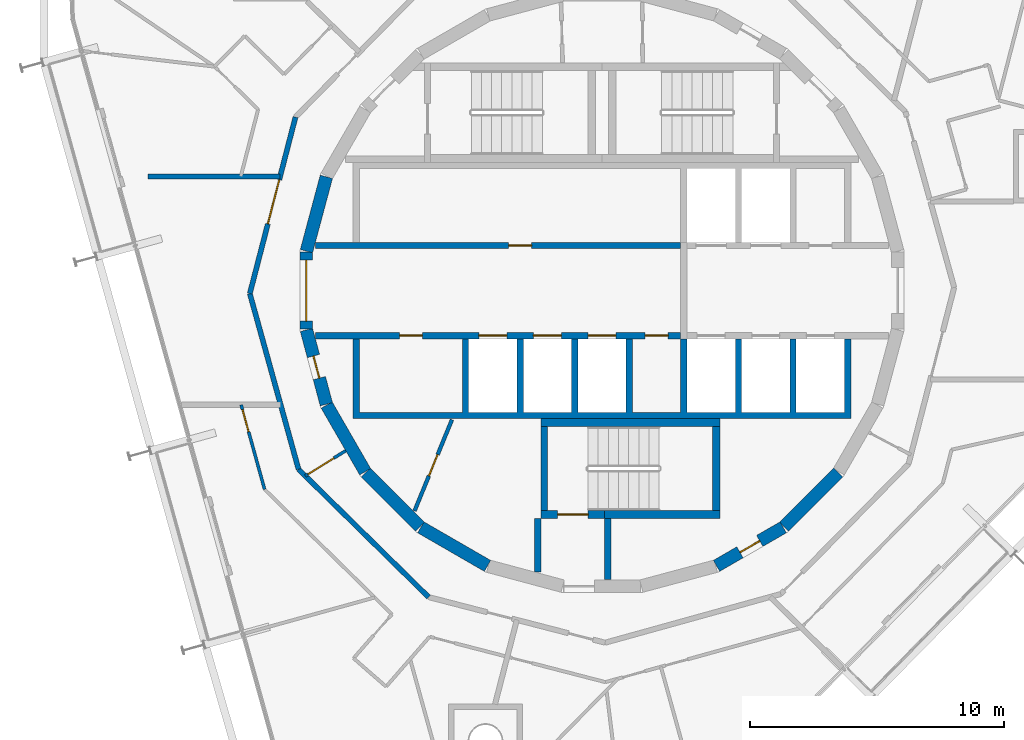
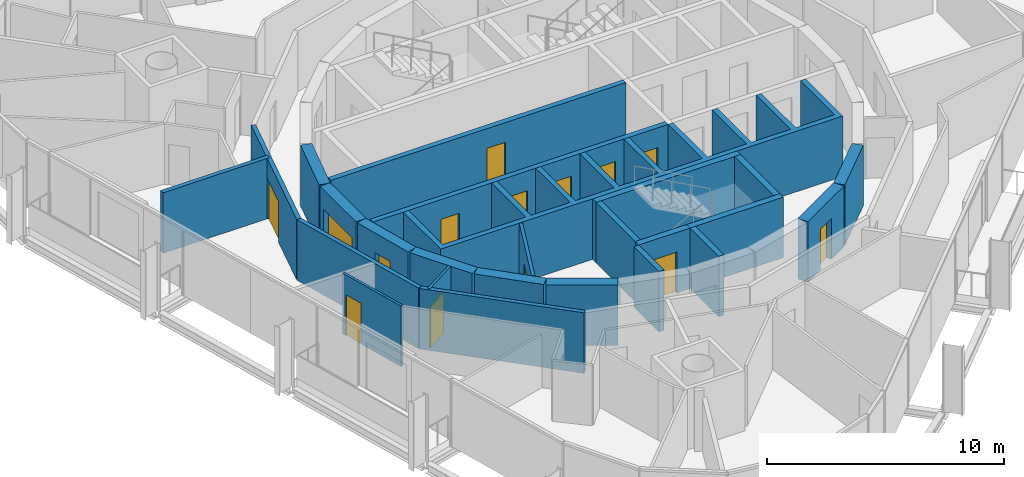
# One storey, part 10 of 15: 25 walls, 14 doors, 14 openings.
"""IFC4 building model written with IfcOpenShell, lengths in metres."""

from ifc_helpers import new_model, si_unit, direction, frame, frame_2d, origin, place, context, subcontext, project, spatial, polyline, rectangle, outline, extrude, material, layer, layer_set, type_object, element, fill, save


model = new_model("IFC4")

# Units and contexts
model_context = context("Model", 3, precision=1e-05, world=origin(), true_north=direction((0.0, 1.0)))
body_context = subcontext(model_context, "Body", "Model", "MODEL_VIEW")
ifc_project = project(units=[si_unit("LENGTHUNIT", "METRE"), si_unit("AREAUNIT", "SQUARE_METRE"), si_unit("VOLUMEUNIT", "CUBIC_METRE"), si_unit("PLANEANGLEUNIT", "RADIAN"), si_unit("MASSUNIT", "GRAM", prefix="KILO")], contexts=[model_context])

# Site, building, storey
site_placement = place(None, origin())
site = spatial("IfcSite", under=ifc_project, at=site_placement, CompositionType="ELEMENT")
building_placement = place(site_placement, origin())
building = spatial("IfcBuilding", under=site, at=building_placement, Name="Spindle Arch Residences", CompositionType="ELEMENT")
storey_placement = place(building_placement, frame((0.0, 0.0, 308.699951171875)))
storey = spatial("IfcBuildingStorey", under=building, at=storey_placement, Name="L79", CompositionType="ELEMENT", Elevation=308.699951171875)

# Wall, opening, door
ifc_material_1 = material(Name="Concrete C50/60", Category="concrete")
ifc_layer_1 = layer(ifc_material_1, 0.5)
ifc_layer_set_1 = layer_set([ifc_layer_1], Name="Core outline wall 500")
wall_type_1 = type_object("IfcWallType", Name="Core outline wall 500", PredefinedType="SHEAR", material=ifc_layer_set_1)
wall_1_placement = place(storey_placement, frame((4.510498046875, -10.84521484375, 0.0), z_axis=(0.0, 0.0, 1.0), x_axis=(0.865975092491, 0.500087131594, 0.0)))
wall_1 = element("IfcWall", 1, at=wall_1_placement, inside=storey, type_object=wall_type_1, Name="Core outline wall 2", PredefinedType="SHEAR", context=body_context, shape_type="SweptSolid", body=[
    extrude(rectangle(XDim=3.03271484375, YDim=0.5, at=frame_2d((1.516357421875, 0.0))), origin(), (0.0, 0.0, 1.0), 3.1201171875),
])
opening_1_placement = place(wall_1_placement, frame((1.06640625, 0.0, 0.0)))
opening_1 = element("IfcOpeningElement", 2, at=opening_1_placement, cuts=wall_1, Name="Opening R8B1-WD08", PredefinedType="OPENING", context=body_context, shape_type="SweptSolid", body=[
    extrude(rectangle(XDim=0.89990234375, YDim=2.10009765625, at=frame_2d((0.449951171875, 1.050048828125))), frame((0.0, 0.260009765625, 0.0), z_axis=(0.0, -1.0, 0.0), x_axis=(1.0, 0.0, 0.0)), (0.0, 0.0, 1.0), 0.52001953125),
])
ifc_material_2 = material(Name="Steel, fire-resisting door", Category="steel")
door_type_1 = type_object("IfcDoorType", Name="Service room door 900x2100", OperationType="SINGLE_SWING_LEFT", PredefinedType="DOOR", material=ifc_material_2)
door_1_placement = place(opening_1_placement, origin())
door_1 = element("IfcDoor", 3, at=door_1_placement, inside=storey, type_object=door_type_1, Name="Service room door R8B1-WD08", OperationType="SINGLE_SWING_RIGHT", OverallHeight=2.10009765625, OverallWidth=0.89990234375, PredefinedType="DOOR", context=body_context, shape_type="SweptSolid", body=[
    extrude(rectangle(XDim=0.89990234375, YDim=2.10009765625, at=frame_2d((0.449951171875, 1.050048828125))), frame((0.0, 0.02490234375, 0.0), z_axis=(0.0, -1.0, 0.0), x_axis=(1.0, 0.0, 0.0)), (0.0, 0.0, 1.0), 0.050048828125),
])
fill(opening_1, door_1)

# Walls
wall_2_placement = place(storey_placement, frame((7.163818359375, -9.30810546875, 0.0), z_axis=(0.0, 0.0, 1.0), x_axis=(0.707106781187, 0.707106781187, 0.0)))
element("IfcWall", 4, at=wall_2_placement, inside=storey, type_object=wall_type_1, Name="Core outline wall 3", PredefinedType="SHEAR", context=body_context, shape_type="SweptSolid", body=[
    extrude(rectangle(XDim=3.032470703125, YDim=0.5, at=frame_2d((1.51611328125, 0.0))), origin(), (0.0, 0.0, 1.0), 3.1201171875),
])
wall_3_placement = place(storey_placement, frame((-10.858154296875, 4.479248046875, 0.0), z_axis=(0.0, 0.0, 1.0), x_axis=(-0.258734743916, -0.965948410781, 0.0)))
element("IfcWall", 5, at=wall_3_placement, inside=storey, type_object=wall_type_1, Name="Core outline wall 17", PredefinedType="SHEAR", context=body_context, shape_type="SweptSolid", body=[
    extrude(rectangle(XDim=3.03271484375, YDim=0.5, at=frame_2d((1.516357421875, 0.0))), origin(), (0.0, 0.0, 1.0), 3.1201171875),
])

# Wall, opening, door
wall_4_placement = place(storey_placement, frame((-11.647216796875, 1.516357421875, 0.0), z_axis=(0.0, 0.0, 1.0), x_axis=(0.0, -1.0, 0.0)))
wall_4 = element("IfcWall", 6, at=wall_4_placement, inside=storey, type_object=wall_type_1, Name="Core outline wall 18", PredefinedType="SHEAR", context=body_context, shape_type="SweptSolid", body=[
    extrude(rectangle(XDim=3.03271484375, YDim=0.5, at=frame_2d((1.516357421875, 0.0))), origin(), (0.0, 0.0, 1.0), 3.1201171875),
])
opening_2_placement = place(wall_4_placement, frame((0.31640625, 0.0, 0.0)))
opening_2 = element("IfcOpeningElement", 7, at=opening_2_placement, cuts=wall_4, Name="Opening R8B1-LE01", PredefinedType="OPENING", context=body_context, shape_type="SweptSolid", body=[
    extrude(rectangle(XDim=2.39990234375, YDim=2.10009765625, at=frame_2d((1.199951171875, 1.050048828125))), frame((0.0, 0.260009765625, 0.0), z_axis=(0.0, -1.0, 0.0), x_axis=(1.0, 0.0, 0.0)), (0.0, 0.0, 1.0), 0.52001953125),
])
ifc_material_3 = material(Name="Steel, fire-resisting door", Category="steel")
door_type_2 = type_object("IfcDoorType", Name="Lift lobby entrance door 2400x2100", OperationType="DOUBLE_DOOR_SINGLE_SWING", PredefinedType="DOOR", material=ifc_material_3)
door_2_placement = place(opening_2_placement, origin())
door_2 = element("IfcDoor", 8, at=door_2_placement, inside=storey, type_object=door_type_2, Name="Lift lobby entrance door R8B1-LE01", OperationType="DOUBLE_DOOR_SINGLE_SWING", OverallHeight=2.10009765625, OverallWidth=2.39990234375, PredefinedType="DOOR", context=body_context, shape_type="SweptSolid", body=[
    extrude(rectangle(XDim=2.39990234375, YDim=2.10009765625, at=frame_2d((1.199951171875, 1.050048828125))), frame((0.0, 0.02490234375, 0.0), z_axis=(0.0, -1.0, 0.0), x_axis=(1.0, 0.0, 0.0)), (0.0, 0.0, 1.0), 0.050048828125),
])
fill(opening_2, door_2)

wall_5_placement = place(storey_placement, frame((-11.642822265625, -1.5498046875, 0.0), z_axis=(0.0, 0.0, 1.0), x_axis=(0.258734743916, -0.965948410781, 0.0)))
wall_5 = element("IfcWall", 9, at=wall_5_placement, inside=storey, type_object=wall_type_1, Name="Core outline wall 19", PredefinedType="SHEAR", context=body_context, shape_type="SweptSolid", body=[
    extrude(rectangle(XDim=3.03271484375, YDim=0.5, at=frame_2d((1.516357421875, 0.0))), origin(), (0.0, 0.0, 1.0), 3.1201171875),
])
opening_3_placement = place(wall_5_placement, frame((1.06640625, 0.0, 0.0)))
opening_3 = element("IfcOpeningElement", 10, at=opening_3_placement, cuts=wall_5, Name="Opening R8B1-WD09", PredefinedType="OPENING", context=body_context, shape_type="SweptSolid", body=[
    extrude(rectangle(XDim=0.89990234375, YDim=2.10009765625, at=frame_2d((0.449951171875, 1.050048828125))), frame((0.0, 0.260009765625, 0.0), z_axis=(0.0, -1.0, 0.0), x_axis=(1.0, 0.0, 0.0)), (0.0, 0.0, 1.0), 0.52001953125),
])
door_3_placement = place(opening_3_placement, origin())
door_3 = element("IfcDoor", 11, at=door_3_placement, inside=storey, type_object=door_type_1, Name="Service room door R8B1-WD09", OperationType="SINGLE_SWING_LEFT", OverallHeight=2.10009765625, OverallWidth=0.89990234375, PredefinedType="DOOR", context=body_context, shape_type="SweptSolid", body=[
    extrude(rectangle(XDim=0.89990234375, YDim=2.10009765625, at=frame_2d((0.449951171875, 1.050048828125))), frame((0.0, 0.02490234375, 0.0), z_axis=(0.0, -1.0, 0.0), x_axis=(1.0, 0.0, 0.0)), (0.0, 0.0, 1.0), 0.050048828125),
])
fill(opening_3, door_3)

# Walls
wall_6_placement = place(storey_placement, frame((-10.84521484375, -4.510498046875, 0.0), z_axis=(0.0, 0.0, 1.0), x_axis=(0.500087131594, -0.865975092491, 0.0)))
element("IfcWall", 12, at=wall_6_placement, inside=storey, type_object=wall_type_1, Name="Core outline wall 20", PredefinedType="SHEAR", context=body_context, shape_type="SweptSolid", body=[
    extrude(rectangle(XDim=3.03271484375, YDim=0.5, at=frame_2d((1.516357421875, 0.0))), origin(), (0.0, 0.0, 1.0), 3.1201171875),
])
wall_7_placement = place(storey_placement, frame((-9.30810546875, -7.163818359375, 0.0), z_axis=(0.0, 0.0, 1.0), x_axis=(0.707106781187, -0.707106781187, 0.0)))
element("IfcWall", 13, at=wall_7_placement, inside=storey, type_object=wall_type_1, Name="Core outline wall 21", PredefinedType="SHEAR", context=body_context, shape_type="SweptSolid", body=[
    extrude(rectangle(XDim=3.032470703125, YDim=0.5, at=frame_2d((1.51611328125, 0.0))), origin(), (0.0, 0.0, 1.0), 3.1201171875),
])
wall_8_placement = place(storey_placement, frame((-7.13671875, -9.32861328125, 0.0), z_axis=(0.0, 0.0, 1.0), x_axis=(0.865975092491, -0.500087131594, 0.0)))
element("IfcWall", 14, at=wall_8_placement, inside=storey, type_object=wall_type_1, Name="Core outline wall 22", PredefinedType="SHEAR", context=body_context, shape_type="SweptSolid", body=[
    extrude(rectangle(XDim=3.03271484375, YDim=0.5, at=frame_2d((1.516357421875, 0.0))), origin(), (0.0, 0.0, 1.0), 3.1201171875),
])

# Wall, opening, door
ifc_material_4 = material(Name="Plasterboard on steel studs", Category="steel")
ifc_layer_2 = layer(ifc_material_4, 0.1201171875)
ifc_layer_set_2 = layer_set([ifc_layer_2], Name="Corridor division wall 120")
wall_type_2 = type_object("IfcWallType", Name="Corridor division wall 120", PredefinedType="PARTITIONING", material=ifc_layer_set_2)
wall_9_placement = place(storey_placement, frame((-11.686767578125, -7.302734375, 0.0), z_axis=(0.0, 0.0, 1.0), x_axis=(0.848064094072, 0.529893661357, 0.0)))
wall_9 = element("IfcWall", 15, at=wall_9_placement, inside=storey, type_object=wall_type_2, Name="Corridor division wall R8B1-W003", PredefinedType="PARTITIONING", context=body_context, shape_type="SweptSolid", body=[
    extrude(rectangle(XDim=1.876220703125, YDim=0.1201171875, at=frame_2d((0.93798828125, 0.0))), origin(), (0.0, 0.0, 1.0), 3.1201171875),
])
opening_4_placement = place(wall_9_placement, frame((0.125, 0.0, 0.0)))
opening_4 = element("IfcOpeningElement", 16, at=opening_4_placement, cuts=wall_9, Name="Opening R8B1-CD03", PredefinedType="OPENING", context=body_context, shape_type="SweptSolid", body=[
    extrude(rectangle(XDim=1.199951171875, YDim=2.10009765625, at=frame_2d((0.60009765625, 1.050048828125))), frame((0.0, 0.070068359375, 0.0), z_axis=(0.0, -1.0, 0.0), x_axis=(1.0, 0.0, 0.0)), (0.0, 0.0, 1.0), 0.14013671875),
])
ifc_material_5 = material(Name="Steel, fire-resisting door", Category="steel")
door_type_3 = type_object("IfcDoorType", Name="Corridor division door 1200x2100", OperationType="NOTDEFINED", PredefinedType="DOOR", material=ifc_material_5)
door_4_placement = place(opening_4_placement, origin())
door_4 = element("IfcDoor", 17, at=door_4_placement, inside=storey, type_object=door_type_3, Name="Corridor division door R8B1-CD03", OperationType="DOUBLE_DOOR_SINGLE_SWING", OverallHeight=2.10009765625, OverallWidth=1.199951171875, PredefinedType="DOOR", context=body_context, shape_type="SweptSolid", body=[
    extrude(rectangle(XDim=1.199951171875, YDim=2.10009765625, at=frame_2d((0.60009765625, 1.050048828125))), frame((0.0, 0.02490234375, 0.0), z_axis=(0.0, -1.0, 0.0), x_axis=(1.0, 0.0, 0.0)), (0.0, 0.0, 1.0), 0.050048828125),
])
fill(opening_4, door_4)

# Wall
ifc_material_6 = material(Name="Calcium silicate block, plastered")
ifc_layer_3 = layer(ifc_material_6, 0.199951171875)
ifc_layer_set_3 = layer_set([ifc_layer_3], Name="Corridor wall 200")
wall_type_3 = type_object("IfcWallType", Name="Corridor wall 200", PredefinedType="STANDARD", material=ifc_layer_set_3)
wall_10_placement = place(storey_placement, frame((-11.953125, -7.041015625, 0.0), z_axis=(0.0, 0.0, 1.0), x_axis=(0.713250549143, -0.70090916255, 0.0)))
element("IfcWall", 18, at=wall_10_placement, inside=storey, type_object=wall_type_3, Name="Corridor wall R8B1-W013", PredefinedType="STANDARD", context=body_context, shape_type="SweptSolid", body=[
    extrude(rectangle(XDim=7.180908203125, YDim=0.199951171875, at=frame_2d((3.59033203125, 0.0))), origin(), (0.0, 0.0, 1.0), 3.1201171875),
])

# Wall, opening, door
ifc_material_7 = material(Name="Plasterboard on steel studs", Category="steel")
ifc_layer_4 = layer(ifc_material_7, 0.1201171875)
ifc_layer_set_4 = layer_set([ifc_layer_4], Name="Flat partition 120")
wall_type_4 = type_object("IfcWallType", Name="Flat partition 120", PredefinedType="PARTITIONING", material=ifc_layer_set_4)
wall_11_placement = place(storey_placement, frame((-14.21435546875, -4.5, 0.0), z_axis=(0.0, 0.0, 1.0), x_axis=(0.267199167841, -0.963641325756, 0.0)))
wall_11 = element("IfcWall", 19, at=wall_11_placement, inside=storey, type_object=wall_type_4, Name="Flat partition R8B1-W059", PredefinedType="PARTITIONING", context=body_context, shape_type="SweptSolid", body=[
    extrude(rectangle(XDim=3.45458984375, YDim=0.1201171875, at=frame_2d((1.727294921875, 0.0))), origin(), (0.0, 0.0, 1.0), 3.1201171875),
])
opening_5_placement = place(wall_11_placement, frame((0.199951171875, 0.0, 0.0)))
opening_5 = element("IfcOpeningElement", 20, at=opening_5_placement, cuts=wall_11, Name="Opening R8B1-ID12", PredefinedType="OPENING", context=body_context, shape_type="SweptSolid", body=[
    extrude(rectangle(XDim=0.89990234375, YDim=2.10009765625, at=frame_2d((0.449951171875, 1.050048828125))), frame((0.0, 0.070068359375, 0.0), z_axis=(0.0, -1.0, 0.0), x_axis=(1.0, 0.0, 0.0)), (0.0, 0.0, 1.0), 0.14013671875),
])
ifc_material_8 = material(Name="Timber door set", Category="wood")
door_type_4 = type_object("IfcDoorType", Name="Room door 900x2100", OperationType="NOTDEFINED", PredefinedType="DOOR", material=ifc_material_8)
door_5_placement = place(opening_5_placement, origin())
door_5 = element("IfcDoor", 21, at=door_5_placement, inside=storey, type_object=door_type_4, Name="Room door R8B1-ID12", OperationType="SINGLE_SWING_RIGHT", OverallHeight=2.10009765625, OverallWidth=0.89990234375, PredefinedType="DOOR", context=body_context, shape_type="SweptSolid", body=[
    extrude(rectangle(XDim=0.89990234375, YDim=2.10009765625, at=frame_2d((0.449951171875, 1.050048828125))), frame((0.0, 0.02490234375, 0.0), z_axis=(0.0, -1.0, 0.0), x_axis=(1.0, 0.0, 0.0)), (0.0, 0.0, 1.0), 0.050048828125),
])
fill(opening_5, door_5)

ifc_material_9 = material(Name="Calcium silicate block, plastered")
ifc_layer_5 = layer(ifc_material_9, 0.199951171875)
ifc_layer_set_5 = layer_set([ifc_layer_5], Name="Lift lobby bay wall 200")
wall_type_5 = type_object("IfcWallType", Name="Lift lobby bay wall 200", PredefinedType="STANDARD", material=ifc_layer_set_5)
wall_12_placement = place(storey_placement, frame((-12.07421875, 6.831298828125, 0.0), z_axis=(0.0, 0.0, 1.0), x_axis=(-0.250391063186, -0.968144780225, 0.0)))
wall_12 = element("IfcWall", 22, at=wall_12_placement, inside=storey, type_object=wall_type_5, Name="Lift lobby bay wall R8B1-W010", PredefinedType="STANDARD", context=body_context, shape_type="SweptSolid", body=[
    extrude(rectangle(XDim=7.18115234375, YDim=0.199951171875, at=frame_2d((3.590576171875, 0.0))), origin(), (0.0, 0.0, 1.0), 3.1201171875),
])
opening_6_placement = place(wall_12_placement, frame((2.5478515625, 0.0, 0.0)))
opening_6 = element("IfcOpeningElement", 23, at=opening_6_placement, cuts=wall_12, Name="Opening R8B1-LB01", PredefinedType="OPENING", context=body_context, shape_type="SweptSolid", body=[
    extrude(rectangle(XDim=1.800048828125, YDim=2.10009765625, at=frame_2d((0.89990234375, 1.050048828125))), frame((0.0, 0.10986328125, 0.0), z_axis=(0.0, -1.0, 0.0), x_axis=(1.0, 0.0, 0.0)), (0.0, 0.0, 1.0), 0.219970703125),
])
ifc_material_10 = material(Name="Steel, fire-resisting door", Category="steel")
door_type_5 = type_object("IfcDoorType", Name="Lift lobby bay door 1800x2100", OperationType="NOTDEFINED", PredefinedType="DOOR", material=ifc_material_10)
door_6_placement = place(opening_6_placement, origin())
door_6 = element("IfcDoor", 24, at=door_6_placement, inside=storey, type_object=door_type_5, Name="Lift lobby bay door R8B1-LB01", OperationType="DOUBLE_DOOR_SINGLE_SWING", OverallHeight=2.10009765625, OverallWidth=1.800048828125, PredefinedType="DOOR", context=body_context, shape_type="SweptSolid", body=[
    extrude(rectangle(XDim=1.800048828125, YDim=2.10009765625, at=frame_2d((0.89990234375, 1.050048828125))), frame((0.0, 0.02490234375, 0.0), z_axis=(0.0, -1.0, 0.0), x_axis=(1.0, 0.0, 0.0)), (0.0, 0.0, 1.0), 0.050048828125),
])
fill(opening_6, door_6)

# Walls
wall_13_placement = place(storey_placement, frame((-13.872314453125, -0.12109375, 0.0), z_axis=(0.0, 0.0, 1.0), x_axis=(0.267254575108, -0.963625960674, 0.0)))
element("IfcWall", 25, at=wall_13_placement, inside=storey, type_object=wall_type_5, Name="Lift lobby bay wall R8B1-W011", PredefinedType="STANDARD", context=body_context, shape_type="SweptSolid", body=[
    extrude(rectangle(XDim=7.18115234375, YDim=0.199951171875, at=frame_2d((3.590576171875, 0.0))), origin(), (0.0, 0.0, 1.0), 3.1201171875),
])
wall_14_placement = place(storey_placement, frame((-12.677001953125, 4.5, 0.0), z_axis=(0.0, 0.0, 1.0), x_axis=(-1.0, 0.0, 0.0)))
element("IfcWall", 26, at=wall_14_placement, inside=storey, type_object=wall_type_5, Name="Lift lobby bay wall R8B1-W017", PredefinedType="STANDARD", context=body_context, shape_type="SweptSolid", body=[
    extrude(rectangle(XDim=5.20849609375, YDim=0.199951171875, at=frame_2d((2.604248046875, 0.0))), origin(), (0.0, 0.0, 1.0), 3.1201171875),
])

# Wall, opening, door
ifc_material_11 = material(Name="Concrete C50/60", Category="concrete")
ifc_layer_6 = layer(ifc_material_11, 0.25)
ifc_layer_set_6 = layer_set([ifc_layer_6], Name="Lift shaft wall 250")
wall_type_6 = type_object("IfcWallType", Name="Lift shaft wall 250", PredefinedType="SHEAR", material=ifc_layer_set_6)
wall_15_placement = place(storey_placement, frame((-11.280029296875, 1.77490234375, 0.0), z_axis=(0.0, 0.0, 1.0), x_axis=(1.0, 0.0, 0.0)))
wall_15 = element("IfcWall", 27, at=wall_15_placement, inside=storey, type_object=wall_type_6, Name="Lift shaft front wall NW", PredefinedType="SHEAR", context=body_context, shape_type="SweptSolid", body=[
    extrude(rectangle(XDim=14.380126953125, YDim=0.25, at=frame_2d((7.18994140625, 0.0))), origin(), (0.0, 0.0, 1.0), 3.1201171875),
])
opening_7_placement = place(wall_15_placement, frame((7.60498046875, 0.0, 0.0)))
opening_7 = element("IfcOpeningElement", 28, at=opening_7_placement, cuts=wall_15, Name="Opening R8B1-WD01", PredefinedType="OPENING", context=body_context, shape_type="SweptSolid", body=[
    extrude(rectangle(XDim=0.89990234375, YDim=2.10009765625, at=frame_2d((0.449951171875, 1.050048828125))), frame((0.0, 0.135009765625, 0.0), z_axis=(0.0, -1.0, 0.0), x_axis=(1.0, 0.0, 0.0)), (0.0, 0.0, 1.0), 0.27001953125),
])
door_7_placement = place(opening_7_placement, origin())
door_7 = element("IfcDoor", 29, at=door_7_placement, inside=storey, type_object=door_type_1, Name="Service room door R8B1-WD01", OperationType="SINGLE_SWING_LEFT", OverallHeight=2.10009765625, OverallWidth=0.89990234375, PredefinedType="DOOR", context=body_context, shape_type="SweptSolid", body=[
    extrude(rectangle(XDim=0.89990234375, YDim=2.10009765625, at=frame_2d((0.449951171875, 1.050048828125))), frame((0.0, 0.02490234375, 0.0), z_axis=(0.0, -1.0, 0.0), x_axis=(1.0, 0.0, 0.0)), (0.0, 0.0, 1.0), 0.050048828125),
])
fill(opening_7, door_7)

# Wall, openings, doors
wall_16_placement = place(storey_placement, frame((-11.280029296875, -1.77490234375, 0.0), z_axis=(0.0, 0.0, 1.0), x_axis=(1.0, 0.0, 0.0)))
wall_16 = element("IfcWall", 30, at=wall_16_placement, inside=storey, type_object=wall_type_6, Name="Lift shaft front wall SW", PredefinedType="SHEAR", context=body_context, shape_type="SweptSolid", body=[
    extrude(rectangle(XDim=14.380126953125, YDim=0.25, at=frame_2d((7.18994140625, 0.0))), origin(), (0.0, 0.0, 1.0), 3.1201171875),
])
opening_8_placement = place(wall_16_placement, frame((6.429931640625, 0.0, 0.0)))
opening_8 = element("IfcOpeningElement", 31, at=opening_8_placement, cuts=wall_16, Name="Opening R8B1-LD01", PredefinedType="OPENING", context=body_context, shape_type="SweptSolid", body=[
    extrude(rectangle(XDim=1.10009765625, YDim=2.10009765625, at=frame_2d((0.550048828125, 1.050048828125))), frame((0.0, 0.135009765625, 0.0), z_axis=(0.0, -1.0, 0.0), x_axis=(1.0, 0.0, 0.0)), (0.0, 0.0, 1.0), 0.27001953125),
])
opening_9_placement = place(wall_16_placement, frame((8.580078125, 0.0, 0.0)))
opening_9 = element("IfcOpeningElement", 32, at=opening_9_placement, cuts=wall_16, Name="Opening R8B1-LD02", PredefinedType="OPENING", context=body_context, shape_type="SweptSolid", body=[
    extrude(rectangle(XDim=1.10009765625, YDim=2.10009765625, at=frame_2d((0.550048828125, 1.050048828125))), frame((0.0, 0.135009765625, 0.0), z_axis=(0.0, -1.0, 0.0), x_axis=(1.0, 0.0, 0.0)), (0.0, 0.0, 1.0), 0.27001953125),
])
opening_10_placement = place(wall_16_placement, frame((10.72998046875, 0.0, 0.0)))
opening_10 = element("IfcOpeningElement", 33, at=opening_10_placement, cuts=wall_16, Name="Opening R8B1-LD03", PredefinedType="OPENING", context=body_context, shape_type="SweptSolid", body=[
    extrude(rectangle(XDim=1.10009765625, YDim=2.10009765625, at=frame_2d((0.550048828125, 1.050048828125))), frame((0.0, 0.135009765625, 0.0), z_axis=(0.0, -1.0, 0.0), x_axis=(1.0, 0.0, 0.0)), (0.0, 0.0, 1.0), 0.27001953125),
])
opening_11_placement = place(wall_16_placement, frame((3.304931640625, 0.0, 0.0)))
opening_11 = element("IfcOpeningElement", 34, at=opening_11_placement, cuts=wall_16, Name="Opening R8B1-WD03", PredefinedType="OPENING", context=body_context, shape_type="SweptSolid", body=[
    extrude(rectangle(XDim=0.89990234375, YDim=2.10009765625, at=frame_2d((0.449951171875, 1.050048828125))), frame((0.0, 0.135009765625, 0.0), z_axis=(0.0, -1.0, 0.0), x_axis=(1.0, 0.0, 0.0)), (0.0, 0.0, 1.0), 0.27001953125),
])
opening_12_placement = place(wall_16_placement, frame((12.97998046875, 0.0, 0.0)))
opening_12 = element("IfcOpeningElement", 35, at=opening_12_placement, cuts=wall_16, Name="Opening R8B1-WD04", PredefinedType="OPENING", context=body_context, shape_type="SweptSolid", body=[
    extrude(rectangle(XDim=0.89990234375, YDim=2.10009765625, at=frame_2d((0.449951171875, 1.050048828125))), frame((0.0, 0.135009765625, 0.0), z_axis=(0.0, -1.0, 0.0), x_axis=(1.0, 0.0, 0.0)), (0.0, 0.0, 1.0), 0.27001953125),
])
ifc_material_12 = material(Name="Steel, fire-resisting landing door", Category="steel")
door_type_6 = type_object("IfcDoorType", Name="Lift landing door 1100x2100", OperationType="DOUBLE_DOOR_SLIDING", PredefinedType="DOOR", material=ifc_material_12)
door_8_placement = place(opening_8_placement, origin())
door_8 = element("IfcDoor", 36, at=door_8_placement, inside=storey, type_object=door_type_6, Name="Lift landing door R8B1-LD01", OperationType="DOUBLE_DOOR_SLIDING", OverallHeight=2.10009765625, OverallWidth=1.10009765625, PredefinedType="DOOR", context=body_context, shape_type="SweptSolid", body=[
    extrude(rectangle(XDim=1.10009765625, YDim=2.10009765625, at=frame_2d((0.550048828125, 1.050048828125))), frame((0.0, 0.02490234375, 0.0), z_axis=(0.0, -1.0, 0.0), x_axis=(1.0, 0.0, 0.0)), (0.0, 0.0, 1.0), 0.050048828125),
])
fill(opening_8, door_8)
door_9_placement = place(opening_9_placement, origin())
door_9 = element("IfcDoor", 37, at=door_9_placement, inside=storey, type_object=door_type_6, Name="Lift landing door R8B1-LD02", OperationType="DOUBLE_DOOR_SLIDING", OverallHeight=2.10009765625, OverallWidth=1.10009765625, PredefinedType="DOOR", context=body_context, shape_type="SweptSolid", body=[
    extrude(rectangle(XDim=1.10009765625, YDim=2.10009765625, at=frame_2d((0.550048828125, 1.050048828125))), frame((0.0, 0.02490234375, 0.0), z_axis=(0.0, -1.0, 0.0), x_axis=(1.0, 0.0, 0.0)), (0.0, 0.0, 1.0), 0.050048828125),
])
fill(opening_9, door_9)
door_10_placement = place(opening_10_placement, origin())
door_10 = element("IfcDoor", 38, at=door_10_placement, inside=storey, type_object=door_type_6, Name="Lift landing door R8B1-LD03", OperationType="DOUBLE_DOOR_SLIDING", OverallHeight=2.10009765625, OverallWidth=1.10009765625, PredefinedType="DOOR", context=body_context, shape_type="SweptSolid", body=[
    extrude(rectangle(XDim=1.10009765625, YDim=2.10009765625, at=frame_2d((0.550048828125, 1.050048828125))), frame((0.0, 0.02490234375, 0.0), z_axis=(0.0, -1.0, 0.0), x_axis=(1.0, 0.0, 0.0)), (0.0, 0.0, 1.0), 0.050048828125),
])
fill(opening_10, door_10)
door_11_placement = place(opening_11_placement, origin())
door_11 = element("IfcDoor", 39, at=door_11_placement, inside=storey, type_object=door_type_1, Name="Service room door R8B1-WD03", OperationType="SINGLE_SWING_LEFT", OverallHeight=2.10009765625, OverallWidth=0.89990234375, PredefinedType="DOOR", context=body_context, shape_type="SweptSolid", body=[
    extrude(rectangle(XDim=0.89990234375, YDim=2.10009765625, at=frame_2d((0.449951171875, 1.050048828125))), frame((0.0, 0.02490234375, 0.0), z_axis=(0.0, -1.0, 0.0), x_axis=(1.0, 0.0, 0.0)), (0.0, 0.0, 1.0), 0.050048828125),
])
fill(opening_11, door_11)
door_12_placement = place(opening_12_placement, origin())
door_12 = element("IfcDoor", 40, at=door_12_placement, inside=storey, type_object=door_type_1, Name="Service room door R8B1-WD04", OperationType="SINGLE_SWING_RIGHT", OverallHeight=2.10009765625, OverallWidth=0.89990234375, PredefinedType="DOOR", context=body_context, shape_type="SweptSolid", body=[
    extrude(rectangle(XDim=0.89990234375, YDim=2.10009765625, at=frame_2d((0.449951171875, 1.050048828125))), frame((0.0, 0.02490234375, 0.0), z_axis=(0.0, -1.0, 0.0), x_axis=(1.0, 0.0, 0.0)), (0.0, 0.0, 1.0), 0.050048828125),
])
fill(opening_12, door_12)

# Wall
ifc_material_13 = material(Name="Concrete C50/60", Category="concrete")
wall_type_7 = type_object("IfcWallType", Name="Lift shaft wall profile", PredefinedType="SHEAR", material=ifc_material_13)
wall_17_placement = place(storey_placement, origin())
element("IfcWall", 41, at=wall_17_placement, inside=storey, type_object=wall_type_7, Name="Lift shaft walls S", PredefinedType="SHEAR", context=body_context, shape_type="SweptSolid", body=[
    extrude(outline(polyline([(9.800048828125, -5.050048828125), (9.800048828125, -4.800048828125), (9.800048828125, -1.89990234375), (9.550048828125, -1.89990234375), (9.550048828125, -4.800048828125), (7.64990234375, -4.800048828125), (7.64990234375, -1.89990234375), (7.39990234375, -1.89990234375), (7.39990234375, -4.800048828125), (5.5, -4.800048828125), (5.5, -1.89990234375), (5.25, -1.89990234375), (5.25, -4.800048828125), (3.35009765625, -4.800048828125), (3.35009765625, -1.89990234375), (3.10009765625, -1.89990234375), (3.10009765625, -4.800048828125), (1.199951171875, -4.800048828125), (1.199951171875, -1.89990234375), (0.949951171875, -1.89990234375), (0.949951171875, -4.800048828125), (-0.949951171875, -4.800048828125), (-0.949951171875, -1.89990234375), (-1.199951171875, -1.89990234375), (-1.199951171875, -4.800048828125), (-3.10009765625, -4.800048828125), (-3.10009765625, -1.89990234375), (-3.35009765625, -1.89990234375), (-3.35009765625, -4.800048828125), (-5.25, -4.800048828125), (-5.25, -1.89990234375), (-5.5, -1.89990234375), (-5.5, -4.800048828125), (-9.550048828125, -4.800048828125), (-9.550048828125, -1.89990234375), (-9.800048828125, -1.89990234375), (-9.800048828125, -4.800048828125), (-9.800048828125, -5.050048828125), (9.800048828125, -5.050048828125)])), origin(), (0.0, 0.0, 1.0), 3.1201171875),
])

# Wall, opening, door
ifc_material_14 = material(Name="Concrete C25/30", Category="concrete")
ifc_layer_7 = layer(ifc_material_14, 0.14990234375)
ifc_layer_set_7 = layer_set([ifc_layer_7], Name="Service room partition 150")
wall_type_8 = type_object("IfcWallType", Name="Service room partition 150", PredefinedType="PARTITIONING", material=ifc_layer_set_7)
wall_18_placement = place(storey_placement, frame((-7.385009765625, -8.680908203125, 0.0), z_axis=(0.0, 0.0, 1.0), x_axis=(0.379804590409, 0.925066739811, 0.0)))
wall_18 = element("IfcWall", 42, at=wall_18_placement, inside=storey, type_object=wall_type_8, Name="Core service room partition", PredefinedType="PARTITIONING", context=body_context, shape_type="SweptSolid", body=[
    extrude(rectangle(XDim=3.885009765625, YDim=0.14990234375, at=frame_2d((1.9423828125, 0.0))), origin(), (0.0, 0.0, 1.0), 3.1201171875),
])
opening_13_placement = place(wall_18_placement, frame((1.49267578125, 0.0, 0.0)))
opening_13 = element("IfcOpeningElement", 43, at=opening_13_placement, cuts=wall_18, Name="Opening R8B1-WD05", PredefinedType="OPENING", context=body_context, shape_type="SweptSolid", body=[
    extrude(rectangle(XDim=0.89990234375, YDim=2.10009765625, at=frame_2d((0.449951171875, 1.050048828125))), frame((0.0, 0.0849609375, 0.0), z_axis=(0.0, -1.0, 0.0), x_axis=(1.0, 0.0, 0.0)), (0.0, 0.0, 1.0), 0.169921875),
])
door_13_placement = place(opening_13_placement, origin())
door_13 = element("IfcDoor", 44, at=door_13_placement, inside=storey, type_object=door_type_1, Name="Service room door R8B1-WD05", OperationType="SINGLE_SWING_LEFT", OverallHeight=2.10009765625, OverallWidth=0.89990234375, PredefinedType="DOOR", context=body_context, shape_type="SweptSolid", body=[
    extrude(rectangle(XDim=0.89990234375, YDim=2.10009765625, at=frame_2d((0.449951171875, 1.050048828125))), frame((0.0, 0.02490234375, 0.0), z_axis=(0.0, -1.0, 0.0), x_axis=(1.0, 0.0, 0.0)), (0.0, 0.0, 1.0), 0.050048828125),
])
fill(opening_13, door_13)

# Walls
ifc_material_15 = material(Name="Concrete C40/50", Category="concrete")
ifc_layer_8 = layer(ifc_material_15, 0.25)
ifc_layer_set_8 = layer_set([ifc_layer_8], Name="Stair airlock wall 250")
wall_type_9 = type_object("IfcWallType", Name="Stair airlock wall 250", PredefinedType="SHEAR", material=ifc_layer_set_8)
wall_19_placement = place(storey_placement, frame((-2.52490234375, -8.969970703125, 0.0), z_axis=(0.0, 0.0, 1.0), x_axis=(0.0, -1.0, 0.0)))
element("IfcWall", 45, at=wall_19_placement, inside=storey, type_object=wall_type_9, Name="Stair ST-3 airlock wall W", PredefinedType="SHEAR", context=body_context, shape_type="SweptSolid", body=[
    extrude(rectangle(XDim=2.110107421875, YDim=0.25, at=frame_2d((1.05517578125, 0.0))), origin(), (0.0, 0.0, 1.0), 3.1201171875),
])
wall_20_placement = place(storey_placement, frame((0.22509765625, -8.969970703125, 0.0), z_axis=(0.0, 0.0, 1.0), x_axis=(0.0, -1.0, 0.0)))
element("IfcWall", 46, at=wall_20_placement, inside=storey, type_object=wall_type_9, Name="Stair ST-3 airlock wall E", PredefinedType="SHEAR", context=body_context, shape_type="SweptSolid", body=[
    extrude(rectangle(XDim=2.409912109375, YDim=0.25, at=frame_2d((1.205078125, 0.0))), origin(), (0.0, 0.0, 1.0), 3.1201171875),
])
ifc_material_16 = material(Name="Concrete C50/60", Category="concrete")
ifc_layer_9 = layer(ifc_material_16, 0.25)
ifc_layer_set_9 = layer_set([ifc_layer_9], Name="Stair enclosure wall 250")
wall_type_10 = type_object("IfcWallType", Name="Stair enclosure wall 250", PredefinedType="SHEAR", material=ifc_layer_set_9)
wall_21_placement = place(storey_placement, frame((-2.27490234375, -8.669921875, 0.0), z_axis=(0.0, 0.0, 1.0), x_axis=(0.0, 1.0, 0.0)))
element("IfcWall", 47, at=wall_21_placement, inside=storey, type_object=wall_type_10, Name="Stair ST-3 enclosure wall W", PredefinedType="SHEAR", context=body_context, shape_type="SweptSolid", body=[
    extrude(rectangle(XDim=3.31982421875, YDim=0.25, at=frame_2d((1.659912109375, 0.0))), origin(), (0.0, 0.0, 1.0), 3.1201171875),
])
ifc_material_17 = material(Name="Concrete C50/60", Category="concrete")
ifc_layer_10 = layer(ifc_material_17, 0.300048828125)
ifc_layer_set_10 = layer_set([ifc_layer_10], Name="Stair enclosure wall 300")
wall_type_11 = type_object("IfcWallType", Name="Stair enclosure wall 300", PredefinedType="SHEAR", material=ifc_layer_set_10)
wall_22_placement = place(storey_placement, frame((-2.39990234375, -5.199951171875, 0.0), z_axis=(0.0, 0.0, 1.0), x_axis=(1.0, 0.0, 0.0)))
element("IfcWall", 48, at=wall_22_placement, inside=storey, type_object=wall_type_11, Name="Stair ST-3 enclosure wall N", PredefinedType="SHEAR", context=body_context, shape_type="SweptSolid", body=[
    extrude(rectangle(XDim=7.0498046875, YDim=0.300048828125, at=frame_2d((3.52490234375, 0.0))), origin(), (0.0, 0.0, 1.0), 3.1201171875),
])
wall_23_placement = place(storey_placement, frame((4.5, -8.669921875, 0.0), z_axis=(0.0, 0.0, 1.0), x_axis=(0.0, 1.0, 0.0)))
element("IfcWall", 49, at=wall_23_placement, inside=storey, type_object=wall_type_11, Name="Stair ST-3 enclosure wall E", PredefinedType="SHEAR", context=body_context, shape_type="SweptSolid", body=[
    extrude(rectangle(XDim=3.31982421875, YDim=0.300048828125, at=frame_2d((1.659912109375, 0.0))), origin(), (0.0, 0.0, 1.0), 3.1201171875),
])
wall_24_placement = place(storey_placement, frame((0.10009765625, -8.820068359375, 0.0), z_axis=(0.0, 0.0, 1.0), x_axis=(1.0, 0.0, 0.0)))
element("IfcWall", 50, at=wall_24_placement, inside=storey, type_object=wall_type_11, Name="Stair ST-3 enclosure wall S", PredefinedType="SHEAR", context=body_context, shape_type="SweptSolid", body=[
    extrude(rectangle(XDim=4.5498046875, YDim=0.300048828125, at=frame_2d((2.27490234375, 0.0))), origin(), (0.0, 0.0, 1.0), 3.1201171875),
])

# Wall, opening, door
wall_25_placement = place(storey_placement, frame((-2.39990234375, -8.820068359375, 0.0), z_axis=(0.0, 0.0, 1.0), x_axis=(1.0, 0.0, 0.0)))
wall_25 = element("IfcWall", 51, at=wall_25_placement, inside=storey, type_object=wall_type_11, Name="Stair ST-3 door wall", PredefinedType="SHEAR", context=body_context, shape_type="SweptSolid", body=[
    extrude(rectangle(XDim=2.5, YDim=0.300048828125, at=frame_2d((1.25, 0.0))), origin(), (0.0, 0.0, 1.0), 3.1201171875),
])
opening_14_placement = place(wall_25_placement, frame((0.64990234375, 0.0, 0.0)))
opening_14 = element("IfcOpeningElement", 52, at=opening_14_placement, cuts=wall_25, Name="Opening R8B1-SD03", PredefinedType="OPENING", context=body_context, shape_type="SweptSolid", body=[
    extrude(rectangle(XDim=1.199951171875, YDim=2.10009765625, at=frame_2d((0.60009765625, 1.050048828125))), frame((0.0, 0.16015625, 0.0), z_axis=(0.0, -1.0, 0.0), x_axis=(1.0, 0.0, 0.0)), (0.0, 0.0, 1.0), 0.320068359375),
])
ifc_material_18 = material(Name="Steel, fire-resisting door", Category="steel")
door_type_7 = type_object("IfcDoorType", Name="Stair door 1200x2100", OperationType="SINGLE_SWING_RIGHT", PredefinedType="DOOR", material=ifc_material_18)
door_14_placement = place(opening_14_placement, origin())
door_14 = element("IfcDoor", 53, at=door_14_placement, inside=storey, type_object=door_type_7, Name="Stair door R8B1-SD03", OperationType="SINGLE_SWING_LEFT", OverallHeight=2.10009765625, OverallWidth=1.199951171875, PredefinedType="DOOR", context=body_context, shape_type="SweptSolid", body=[
    extrude(rectangle(XDim=1.199951171875, YDim=2.10009765625, at=frame_2d((0.60009765625, 1.050048828125))), frame((0.0, 0.02490234375, 0.0), z_axis=(0.0, -1.0, 0.0), x_axis=(1.0, 0.0, 0.0)), (0.0, 0.0, 1.0), 0.050048828125),
])
fill(opening_14, door_14)

save(model, "model.ifc")
